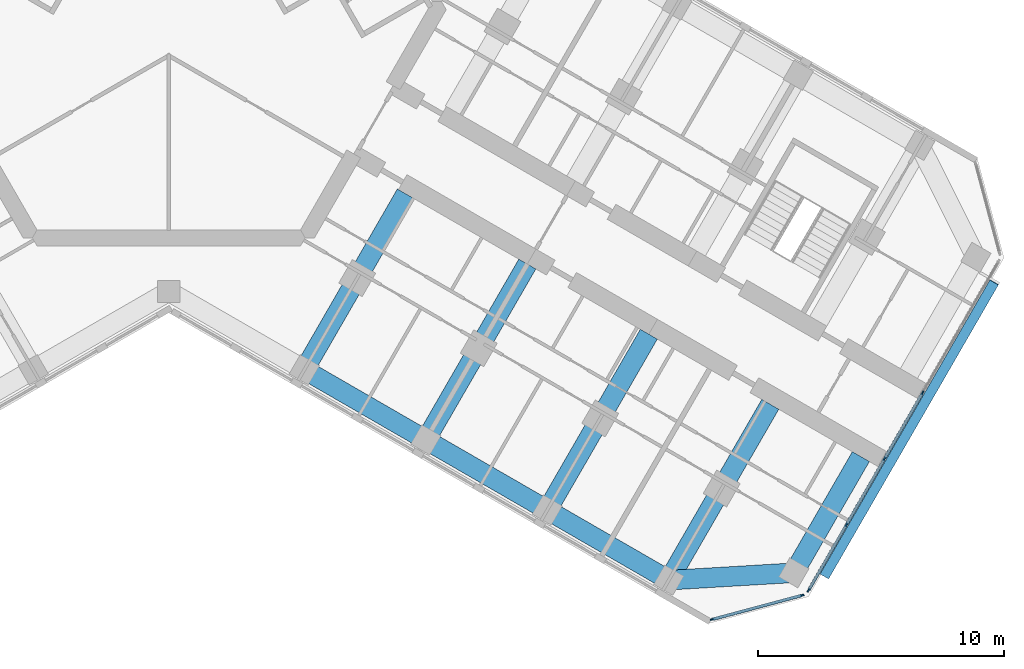
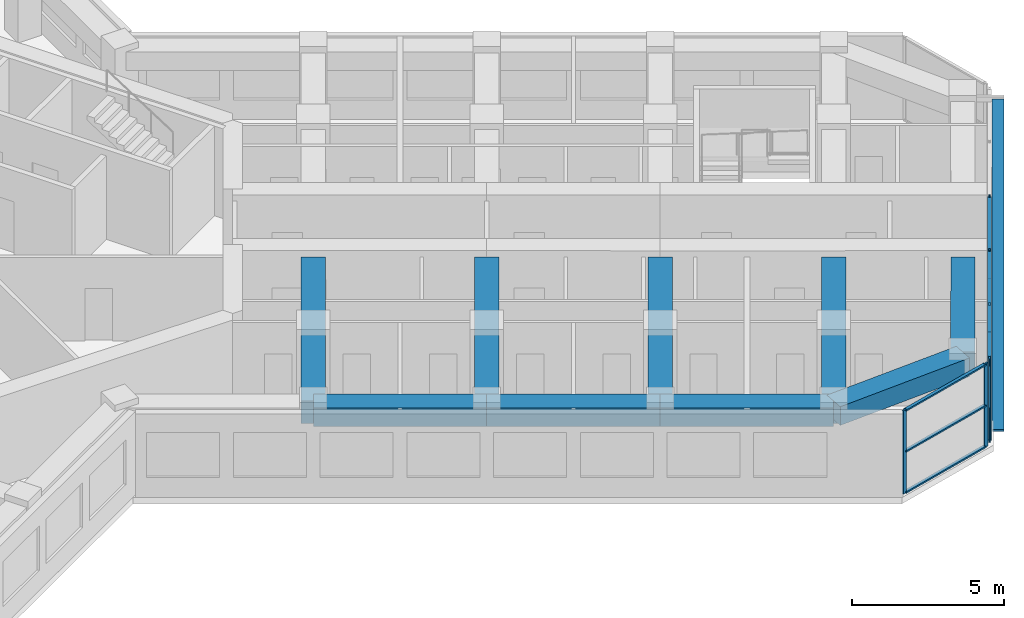
# One storey, part 4 of 16: 16 members, 9 beams, 2 elements without a shape of their own.
"""IFC4 building model written with IfcOpenShell, lengths in metres."""

from ifc_helpers import new_model, si_unit, direction, frame, origin, origin_2d, place, context, subcontext, project, spatial, rectangle, extrude, material, material_profile, profile_set, type_object, element, aggregate, save


model = new_model("IFC4")

# Units and contexts
model_context = context("Model", 3, precision=1e-05, world=origin(), true_north=direction((0.0, 1.0)))
body_context = subcontext(model_context, "Body", "Model", "MODEL_VIEW")
ifc_project = project(units=[si_unit("LENGTHUNIT", "METRE"), si_unit("AREAUNIT", "SQUARE_METRE"), si_unit("VOLUMEUNIT", "CUBIC_METRE"), si_unit("PLANEANGLEUNIT", "RADIAN"), si_unit("MASSUNIT", "GRAM", prefix="KILO")], contexts=[model_context])

# Site, building, storey
site_placement = place(None, origin())
site = spatial("IfcSite", under=ifc_project, at=site_placement, CompositionType="ELEMENT")
building_placement = place(site_placement, origin())
building = spatial("IfcBuilding", under=site, at=building_placement, Name="Kosmar Iwan School Tower", CompositionType="ELEMENT")
storey_placement = place(building_placement, frame((0.0, 0.0, 201.0)))
storey = spatial("IfcBuildingStorey", under=building, at=storey_placement, Name="L50", CompositionType="ELEMENT", Elevation=201.0)

# Member
ifc_material_1 = material(Name="Black anodised aluminium", Category="aluminium")
ifc_material_profile_1 = material_profile(ifc_material_1, rectangle(XDim=0.10009765625, YDim=0.39990234375, at=origin_2d()), Name="FIN 100x400")
ifc_profile_set_1 = profile_set([ifc_material_profile_1], Name="Black anodised aluminium")
member_type_1 = type_object("IfcMemberType", Name="Diagonal fin 100x400", PredefinedType="USERDEFINED", material=ifc_profile_set_1)
member_1_placement = place(storey_placement, frame((26.645263671875, -23.34912109375, -0.14990234375), z_axis=(0.483795538458, 0.837973939202, 0.252470897702), x_axis=(-0.126233699175, -0.218647221293, 0.967604488318)))
element("IfcMember", 1, at=member_1_placement, inside=storey, type_object=member_type_1, Name="Diagonal fin L50-F01", ObjectType="FIN", PredefinedType="USERDEFINED", context=body_context, shape_type="SweptSolid", body=[
    extrude(rectangle(XDim=0.10009765625, YDim=0.39990234375, at=origin_2d()), origin(), (0.0, 0.0, 1.0), 14.258544921875),
])

# Curtain wall, members
ifc_material_2 = material(Name="Dark glass in black aluminium frame", Category="aluminium")
curtain_wall_type_1 = type_object("IfcCurtainWallType", Name="Chamfer curtain wall dark glass", PredefinedType="USERDEFINED", material=ifc_material_2)
curtain_wall_1_placement = place(storey_placement, origin())
curtain_wall_1 = element("IfcCurtainWall", 2, at=curtain_wall_1_placement, inside=storey, type_object=curtain_wall_type_1, Name="Curtain wall L50-F00", ObjectType="FACETED CURTAIN WALL", PredefinedType="USERDEFINED")
ifc_material_3 = material(Name="Black anodised aluminium", Category="aluminium")
ifc_material_profile_2 = material_profile(ifc_material_3, rectangle(XDim=0.06005859375, YDim=0.159912109375, at=origin_2d()), Name="MULLION 60x160")
ifc_profile_set_2 = profile_set([ifc_material_profile_2], Name="Black anodised aluminium")
member_type_2 = type_object("IfcMemberType", Name="Mullion 60x160", PredefinedType="MULLION", material=ifc_profile_set_2)
member_2_placement = place(storey_placement, frame((22.0830078125, -25.102294921875, 0.0), z_axis=(0.0, 0.0, 1.0), x_axis=(-0.258818861462, 0.965925875495, 0.0)))
member_2 = element("IfcMember", 3, at=member_2_placement, type_object=member_type_2, Name="CW2 mullion 1", PredefinedType="MULLION", context=body_context, shape_type="SweptSolid", body=[
    extrude(rectangle(XDim=0.06005859375, YDim=0.159912109375, at=origin_2d()), origin(), (0.0, 0.0, 1.0), 3.35009765625),
])
member_3_placement = place(storey_placement, frame((25.733154296875, -24.124267578125, 0.0), z_axis=(0.0, 0.0, 1.0), x_axis=(-0.258818861462, 0.965925875495, 0.0)))
member_3 = element("IfcMember", 4, at=member_3_placement, type_object=member_type_2, Name="CW2 mullion 2", PredefinedType="MULLION", context=body_context, shape_type="SweptSolid", body=[
    extrude(rectangle(XDim=0.06005859375, YDim=0.159912109375, at=origin_2d()), origin(), (0.0, 0.0, 1.0), 3.35009765625),
])

ifc_material_4 = material(Name="Dark glass in black aluminium frame", Category="aluminium")
curtain_wall_type_2 = type_object("IfcCurtainWallType", Name="Tower curtain wall dark glass", PredefinedType="USERDEFINED", material=ifc_material_4)
curtain_wall_2_placement = place(storey_placement, origin())
curtain_wall_2 = element("IfcCurtainWall", 5, at=curtain_wall_2_placement, inside=storey, type_object=curtain_wall_type_2, Name="Curtain wall L50-F01", ObjectType="UNITISED CURTAIN WALL", PredefinedType="USERDEFINED")
member_4_placement = place(storey_placement, frame((25.9970703125, -23.921630859375, 0.0), z_axis=(0.0, 0.0, 1.0), x_axis=(-0.866025405329, 0.499999997325, 0.0)))
member_4 = element("IfcMember", 6, at=member_4_placement, type_object=member_type_2, Name="CW1 mullion 1", PredefinedType="MULLION", context=body_context, shape_type="SweptSolid", body=[
    extrude(rectangle(XDim=0.06005859375, YDim=0.159912109375, at=origin_2d()), origin(), (0.0, 0.0, 1.0), 3.35009765625),
])
member_5_placement = place(storey_placement, frame((27.53173828125, -21.263671875, 0.0), z_axis=(0.0, 0.0, 1.0), x_axis=(-0.866025405329, 0.499999997325, 0.0)))
member_5 = element("IfcMember", 7, at=member_5_placement, type_object=member_type_2, Name="CW1 mullion 2", PredefinedType="MULLION", context=body_context, shape_type="SweptSolid", body=[
    extrude(rectangle(XDim=0.06005859375, YDim=0.159912109375, at=origin_2d()), origin(), (0.0, 0.0, 1.0), 3.35009765625),
])
member_6_placement = place(storey_placement, frame((29.081298828125, -18.57958984375, 0.0), z_axis=(0.0, 0.0, 1.0), x_axis=(-0.866025405329, 0.499999997325, 0.0)))
member_6 = element("IfcMember", 8, at=member_6_placement, type_object=member_type_2, Name="CW1 mullion 3", PredefinedType="MULLION", context=body_context, shape_type="SweptSolid", body=[
    extrude(rectangle(XDim=0.06005859375, YDim=0.159912109375, at=origin_2d()), origin(), (0.0, 0.0, 1.0), 3.35009765625),
])
member_7_placement = place(storey_placement, frame((30.631103515625, -15.8955078125, 0.0), z_axis=(0.0, 0.0, 1.0), x_axis=(-0.866025405329, 0.499999997325, 0.0)))
member_7 = element("IfcMember", 9, at=member_7_placement, type_object=member_type_2, Name="CW1 mullion 4", PredefinedType="MULLION", context=body_context, shape_type="SweptSolid", body=[
    extrude(rectangle(XDim=0.06005859375, YDim=0.159912109375, at=origin_2d()), origin(), (0.0, 0.0, 1.0), 3.35009765625),
])

# Beams
ifc_material_5 = material(Name="Concrete C50/60", Category="concrete")
ifc_material_profile_3 = material_profile(ifc_material_5, rectangle(XDim=0.800048828125, YDim=0.75, at=origin_2d()), Name="RC 800x750")
ifc_profile_set_3 = profile_set([ifc_material_profile_3], Name="Concrete C50/60")
beam_type_1 = type_object("IfcBeamType", Name="RC edge beam 800x750", PredefinedType="BEAM", material=ifc_profile_set_3)
beam_1_placement = place(storey_placement, frame((5.5087890625, -14.95849609375, 2.97509765625), z_axis=(0.866033658841, -0.49998570155, 0.0), x_axis=(0.49998570155, 0.866033658841, 0.0)))
element("IfcBeam", 10, at=beam_1_placement, inside=storey, type_object=beam_type_1, Name="Edge beam CR2", PredefinedType="BEAM", context=body_context, shape_type="SweptSolid", body=[
    extrude(rectangle(XDim=0.800048828125, YDim=0.75, at=origin_2d()), origin(), (0.0, 0.0, 1.0), 5.699951171875),
])
beam_2_placement = place(storey_placement, frame((10.445068359375, -17.808349609375, 2.97509765625), z_axis=(0.866025820012, -0.499999279071, 0.0), x_axis=(0.499999279071, 0.866025820012, 0.0)))
element("IfcBeam", 11, at=beam_2_placement, inside=storey, type_object=beam_type_1, Name="Edge beam CR3", PredefinedType="BEAM", context=body_context, shape_type="SweptSolid", body=[
    extrude(rectangle(XDim=0.800048828125, YDim=0.75, at=origin_2d()), origin(), (0.0, 0.0, 1.0), 5.7001953125),
])
beam_3_placement = place(storey_placement, frame((15.381591796875, -20.658447265625, 2.97509765625), z_axis=(0.866015111908, -0.50001782563, 0.0), x_axis=(0.50001782563, 0.866015111908, 0.0)))
element("IfcBeam", 12, at=beam_3_placement, inside=storey, type_object=beam_type_1, Name="Edge beam CR4", PredefinedType="BEAM", context=body_context, shape_type="SweptSolid", body=[
    extrude(rectangle(XDim=0.800048828125, YDim=0.75, at=origin_2d()), origin(), (0.0, 0.0, 1.0), 5.699951171875),
])
ifc_material_6 = material(Name="Concrete C50/60", Category="concrete")
ifc_material_profile_4 = material_profile(ifc_material_6, rectangle(XDim=0.800048828125, YDim=0.75, at=origin_2d()), Name="RC 800x750")
ifc_profile_set_4 = profile_set([ifc_material_profile_4], Name="Concrete C50/60")
beam_type_2 = type_object("IfcBeamType", Name="RC tip beam 800x750", PredefinedType="BEAM", material=ifc_profile_set_4)
beam_4_placement = place(storey_placement, frame((20.31787109375, -23.508544921875, 2.97509765625), z_axis=(0.998260616478, 0.058955420358, 0.0), x_axis=(-0.058955420358, 0.998260616478, 0.0)))
element("IfcBeam", 13, at=beam_4_placement, inside=storey, type_object=beam_type_2, Name="Tip beam CR", PredefinedType="BEAM", context=body_context, shape_type="SweptSolid", body=[
    extrude(rectangle(XDim=0.800048828125, YDim=0.75, at=origin_2d()), origin(), (0.0, 0.0, 1.0), 5.08935546875),
])
beam_5_placement = place(storey_placement, frame((25.3984375, -23.20849609375, 2.97509765625), z_axis=(0.500022328685, 0.866012511928, 0.0), x_axis=(-0.866012511928, 0.500022328685, 0.0)))
element("IfcBeam", 14, at=beam_5_placement, inside=storey, type_object=beam_type_2, Name="Tip beam CR to corridor wall", PredefinedType="BEAM", context=body_context, shape_type="SweptSolid", body=[
    extrude(rectangle(XDim=0.800048828125, YDim=0.75, at=origin_2d()), origin(), (0.0, 0.0, 1.0), 5.449951171875),
])
ifc_material_7 = material(Name="Concrete C50/60", Category="concrete")
ifc_material_profile_5 = material_profile(ifc_material_7, rectangle(XDim=0.800048828125, YDim=0.89990234375, at=origin_2d()), Name="RC 800x900")
ifc_profile_set_5 = profile_set([ifc_material_profile_5], Name="Concrete C50/60")
beam_type_3 = type_object("IfcBeamType", Name="RC transverse beam 800x900", PredefinedType="BEAM", material=ifc_profile_set_5)
beam_6_placement = place(storey_placement, frame((5.5087890625, -14.95849609375, 2.89990234375), z_axis=(0.499996545922, 0.866027397988, 0.0), x_axis=(-0.866027397988, 0.499996545922, 0.0)))
element("IfcBeam", 15, at=beam_6_placement, inside=storey, type_object=beam_type_3, Name="Transverse beam CR1", PredefinedType="BEAM", context=body_context, shape_type="SweptSolid", body=[
    extrude(rectangle(XDim=0.800048828125, YDim=0.89990234375, at=origin_2d()), origin(), (0.0, 0.0, 1.0), 8.25),
])
beam_7_placement = place(storey_placement, frame((10.445068359375, -17.808349609375, 2.89990234375), z_axis=(0.500009360108, 0.866019999656, 0.0), x_axis=(-0.866019999656, 0.500009360108, 0.0)))
element("IfcBeam", 16, at=beam_7_placement, inside=storey, type_object=beam_type_3, Name="Transverse beam CR2", PredefinedType="BEAM", context=body_context, shape_type="SweptSolid", body=[
    extrude(rectangle(XDim=0.800048828125, YDim=0.89990234375, at=origin_2d()), origin(), (0.0, 0.0, 1.0), 8.249755859375),
])
for number, where, z_axis, x_axis, name in (
    (17, (15.381591796875, -20.658447265625, 2.89990234375), (0.499996545922, 0.866027397988, 0.0), (-0.866027397988, 0.499996545922, 0.0), "Transverse beam CR3"),
    (18, (20.31787109375, -23.508544921875, 2.89990234375), (0.499996545922, 0.866027397988, 0.0), (-0.866027397988, 0.499996545922, 0.0), "Transverse beam CR4"),
):
    element("IfcBeam", number, at=place(storey_placement, frame(where, z_axis=z_axis, x_axis=x_axis)), inside=storey, type_object=beam_type_3, Name=name, PredefinedType="BEAM", context=body_context, shape_type="SweptSolid", body=[
        extrude(rectangle(XDim=0.800048828125, YDim=0.89990234375, at=origin_2d()), origin(), (0.0, 0.0, 1.0), 8.25),
    ])

# Member
ifc_material_8 = material(Name="Black anodised aluminium", Category="aluminium")
ifc_material_profile_6 = material_profile(ifc_material_8, rectangle(XDim=0.1201171875, YDim=0.06005859375, at=origin_2d()), Name="TRANSOM 60x120")
ifc_profile_set_6 = profile_set([ifc_material_profile_6], Name="Black anodised aluminium")
member_type_3 = type_object("IfcMemberType", Name="Transom 60x120", PredefinedType="USERDEFINED", material=ifc_profile_set_6)
member_8_placement = place(storey_placement, frame((22.11181640625, -25.094482421875, 0.030029296875), z_axis=(0.965923731726, 0.258826861991, 0.0), x_axis=(-0.258826861991, 0.965923731726, 0.0)))
member_8 = element("IfcMember", 19, at=member_8_placement, type_object=member_type_3, Name="CW2 transom 1.1", ObjectType="TRANSOM", PredefinedType="USERDEFINED", context=body_context, shape_type="SweptSolid", body=[
    extrude(rectangle(XDim=0.1201171875, YDim=0.06005859375, at=origin_2d()), origin(), (0.0, 0.0, 1.0), 3.71923828125),
])

member_9_placement = place(storey_placement, frame((22.11181640625, -25.094482421875, 1.675048828125), z_axis=(0.965923731726, 0.258826861991, 0.0), x_axis=(-0.258826861991, 0.965923731726, 0.0)))
member_9 = element("IfcMember", 20, at=member_9_placement, type_object=member_type_3, Name="CW2 transom 1.2", ObjectType="TRANSOM", PredefinedType="USERDEFINED", context=body_context, shape_type="SweptSolid", body=[
    extrude(rectangle(XDim=0.1201171875, YDim=0.06005859375, at=origin_2d()), origin(), (0.0, 0.0, 1.0), 3.71923828125),
])

member_10_placement = place(storey_placement, frame((22.11181640625, -25.094482421875, 3.320068359375), z_axis=(0.965923731726, 0.258826861991, 0.0), x_axis=(-0.258826861991, 0.965923731726, 0.0)))
member_10 = element("IfcMember", 21, at=member_10_placement, type_object=member_type_3, Name="CW2 transom 1.3", ObjectType="TRANSOM", PredefinedType="USERDEFINED", context=body_context, shape_type="SweptSolid", body=[
    extrude(rectangle(XDim=0.1201171875, YDim=0.06005859375, at=origin_2d()), origin(), (0.0, 0.0, 1.0), 3.71923828125),
])

aggregate(curtain_wall_1, [member_2, member_3, member_8, member_9, member_10])

member_11_placement = place(storey_placement, frame((26.01220703125, -23.895751953125, 0.030029296875), z_axis=(0.499986971506, 0.866032925658, 0.0), x_axis=(-0.866032925658, 0.499986971506, 0.0)))
member_11 = element("IfcMember", 22, at=member_11_placement, type_object=member_type_3, Name="CW1 transom 1.1", ObjectType="TRANSOM", PredefinedType="USERDEFINED", context=body_context, shape_type="SweptSolid", body=[
    extrude(rectangle(XDim=0.1201171875, YDim=0.06005859375, at=origin_2d()), origin(), (0.0, 0.0, 1.0), 3.00927734375),
])

member_12_placement = place(storey_placement, frame((26.01220703125, -23.895751953125, 3.320068359375), z_axis=(0.499986971506, 0.866032925658, 0.0), x_axis=(-0.866032925658, 0.499986971506, 0.0)))
member_12 = element("IfcMember", 23, at=member_12_placement, type_object=member_type_3, Name="CW1 transom 1.2", ObjectType="TRANSOM", PredefinedType="USERDEFINED", context=body_context, shape_type="SweptSolid", body=[
    extrude(rectangle(XDim=0.1201171875, YDim=0.06005859375, at=origin_2d()), origin(), (0.0, 0.0, 1.0), 3.00927734375),
])

member_13_placement = place(storey_placement, frame((27.546875, -21.237548828125, 0.030029296875), z_axis=(0.499975102327, 0.866039777986, 0.0), x_axis=(-0.866039777986, 0.499975102327, 0.0)))
member_13 = element("IfcMember", 24, at=member_13_placement, type_object=member_type_3, Name="CW1 transom 2.1", ObjectType="TRANSOM", PredefinedType="USERDEFINED", context=body_context, shape_type="SweptSolid", body=[
    extrude(rectangle(XDim=0.1201171875, YDim=0.06005859375, at=origin_2d()), origin(), (0.0, 0.0, 1.0), 3.039306640625),
])

member_14_placement = place(storey_placement, frame((27.546875, -21.237548828125, 3.320068359375), z_axis=(0.499975102327, 0.866039777986, 0.0), x_axis=(-0.866039777986, 0.499975102327, 0.0)))
member_14 = element("IfcMember", 25, at=member_14_placement, type_object=member_type_3, Name="CW1 transom 2.2", ObjectType="TRANSOM", PredefinedType="USERDEFINED", context=body_context, shape_type="SweptSolid", body=[
    extrude(rectangle(XDim=0.1201171875, YDim=0.06005859375, at=origin_2d()), origin(), (0.0, 0.0, 1.0), 3.039306640625),
])

member_15_placement = place(storey_placement, frame((29.096435546875, -18.553466796875, 0.030029296875), z_axis=(0.499975102327, 0.866039777986, 0.0), x_axis=(-0.866039777986, 0.499975102327, 0.0)))
member_15 = element("IfcMember", 26, at=member_15_placement, type_object=member_type_3, Name="CW1 transom 3.1", ObjectType="TRANSOM", PredefinedType="USERDEFINED", context=body_context, shape_type="SweptSolid", body=[
    extrude(rectangle(XDim=0.1201171875, YDim=0.06005859375, at=origin_2d()), origin(), (0.0, 0.0, 1.0), 3.039306640625),
])

member_16_placement = place(storey_placement, frame((29.096435546875, -18.553466796875, 3.320068359375), z_axis=(0.499975102327, 0.866039777986, 0.0), x_axis=(-0.866039777986, 0.499975102327, 0.0)))
member_16 = element("IfcMember", 27, at=member_16_placement, type_object=member_type_3, Name="CW1 transom 3.2", ObjectType="TRANSOM", PredefinedType="USERDEFINED", context=body_context, shape_type="SweptSolid", body=[
    extrude(rectangle(XDim=0.1201171875, YDim=0.06005859375, at=origin_2d()), origin(), (0.0, 0.0, 1.0), 3.039306640625),
])

aggregate(curtain_wall_2, [member_4, member_5, member_6, member_7, member_11, member_12, member_13, member_14, member_15, member_16])

save(model, "model.ifc")
